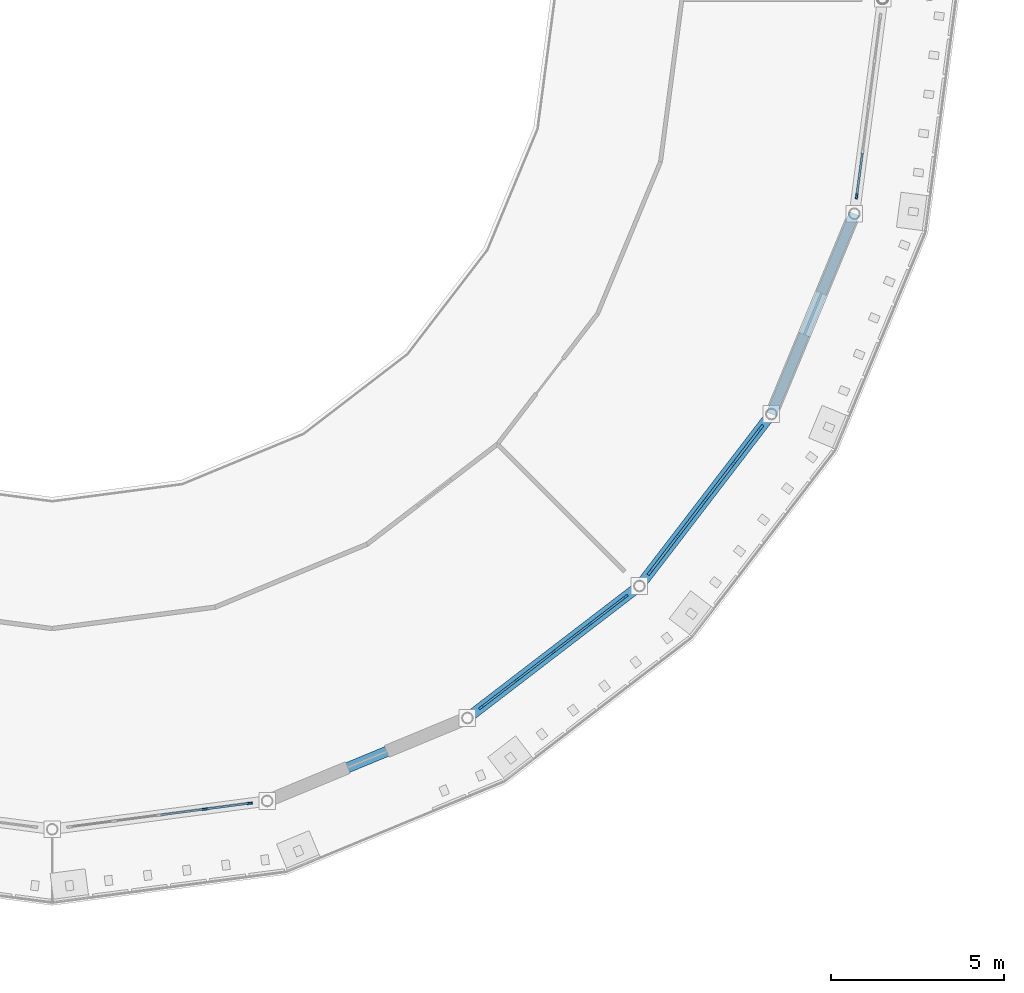
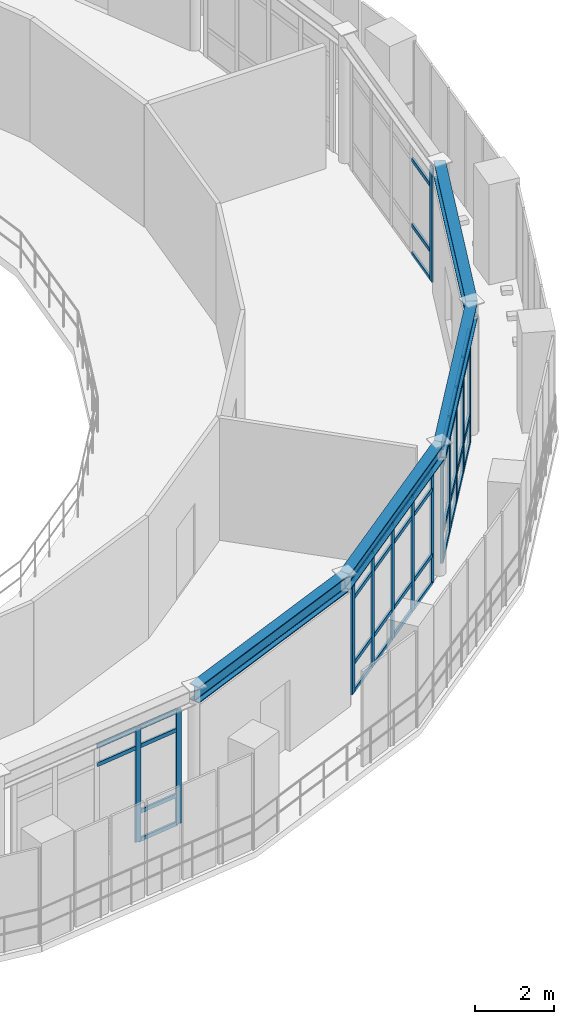
# One storey, part 23 of 58: 54 members, 4 beams, 4 elements without a shape of their own.
"""IFC4 building model written with IfcOpenShell, lengths in metres."""

from ifc_helpers import new_model, si_unit, derived_unit, direction, frame, origin, origin_2d, place, context, subcontext, project, spatial, rectangle, i_section, extrude, material, layer, layer_set, material_profile, profile_set, type_object, element, aggregate, save


model = new_model("IFC4")

# Units and contexts
model_context = context("Model", 3, precision=1e-05, world=origin(), true_north=direction((0.0, 1.0)))
body_context = subcontext(model_context, "Body", "Model", "MODEL_VIEW")
ifc_project = project(units=[si_unit("LENGTHUNIT", "METRE"), si_unit("AREAUNIT", "SQUARE_METRE"), si_unit("VOLUMEUNIT", "CUBIC_METRE"), si_unit("PLANEANGLEUNIT", "RADIAN"), si_unit("MASSUNIT", "GRAM", prefix="KILO"), derived_unit("THERMALTRANSMITTANCEUNIT", [(si_unit("POWERUNIT", "WATT"), 1), (si_unit("AREAUNIT", "SQUARE_METRE"), -1), (si_unit("THERMODYNAMICTEMPERATUREUNIT", "KELVIN"), -1)])], contexts=[model_context])

# Site, building, storey
site_placement = place(None, origin())
site = spatial("IfcSite", under=ifc_project, at=site_placement, CompositionType="ELEMENT")
building_placement = place(site_placement, origin())
building = spatial("IfcBuilding", under=site, at=building_placement, Name="Yasenodar Specialist Clinic", CompositionType="ELEMENT")
storey_placement = place(building_placement, frame((0.0, 0.0, 17.25)))
storey = spatial("IfcBuildingStorey", under=building, at=storey_placement, Name="L04", CompositionType="ELEMENT", Elevation=17.25)

# Beams
ifc_material_1 = material(Name="Steel S355", Category="steel")
ifc_material_profile_1 = material_profile(ifc_material_1, i_section(OverallWidth=0.300048828125, OverallDepth=0.5, WebThickness=0.014404296875, FlangeThickness=0.028076171875, FilletRadius=0.027099609375, at=origin_2d()), Name="HEB 500")
ifc_profile_set_1 = profile_set([ifc_material_profile_1], Name="Steel S355")
beam_type = type_object("IfcBeamType", Name="BM-HEB500", PredefinedType="BEAM", material=ifc_profile_set_1)
beam_1_placement = place(storey_placement, frame((87.211669921875, 35.617919921875, 3.800048828125), z_axis=(0.9238876519, 0.382663829839, 0.0), x_axis=(-0.382663829839, 0.9238876519, 0.0)))
element("IfcBeam", 1, at=beam_1_placement, inside=storey, type_object=beam_type, Name="L04 Drum V1 Roof Ring Beam", PredefinedType="BEAM", context=body_context, shape_type="SweptSolid", body=[
    extrude(i_section(OverallWidth=0.300048828125, OverallDepth=0.5, WebThickness=0.014404296875, FlangeThickness=0.028076171875, FilletRadius=0.027099609375, at=origin_2d()), origin(), (0.0, 0.0, 1.0), 6.26513671875),
])
for number, where, z_axis, x_axis, name in (
    (2, (93.0, 38.015380859375, 3.800048828125), (0.793367971845, 0.608742360322, 0.0), (-0.608742360322, 0.793367971845, 0.0), "L04 Drum V1 Roof Ring Beam"),
    (3, (97.970703125, 41.829345703125, 3.800048828125), (0.608742360322, 0.793367971845, 0.0), (-0.793367971845, 0.608742360322, 0.0), "L04 Drum V1 Roof Ring Beam"),
):
    element("IfcBeam", number, at=place(storey_placement, frame(where, z_axis=z_axis, x_axis=x_axis)), inside=storey, type_object=beam_type, Name=name, PredefinedType="BEAM", context=body_context, shape_type="SweptSolid", body=[
        extrude(i_section(OverallWidth=0.300048828125, OverallDepth=0.5, WebThickness=0.014404296875, FlangeThickness=0.028076171875, FilletRadius=0.027099609375, at=origin_2d()), origin(), (0.0, 0.0, 1.0), 6.265380859375),
    ])
beam_2_placement = place(storey_placement, frame((101.78466796875, 46.800048828125, 3.800048828125), z_axis=(0.382663829839, 0.9238876519, 0.0), x_axis=(-0.9238876519, 0.382663829839, 0.0)))
element("IfcBeam", 4, at=beam_2_placement, inside=storey, type_object=beam_type, Name="L04 Drum V1 Roof Ring Beam", PredefinedType="BEAM", context=body_context, shape_type="SweptSolid", body=[
    extrude(i_section(OverallWidth=0.300048828125, OverallDepth=0.5, WebThickness=0.014404296875, FlangeThickness=0.028076171875, FilletRadius=0.027099609375, at=origin_2d()), origin(), (0.0, 0.0, 1.0), 6.26513671875),
])

# Curtain wall, members
ifc_material_2 = material(Name="Bronze Anodized Aluminium and Triple Low-E Glass", Category="aluminium")
ifc_layer = layer(ifc_material_2, 0.1669921875)
ifc_layer_set = layer_set([ifc_layer], Name="Bronze Anodized Aluminium and Triple Low-E Glass")
curtain_wall_type = type_object("IfcCurtainWallType", Name="CW-SYS-01", PredefinedType="USERDEFINED", material=ifc_layer_set)
curtain_wall_1_placement = place(storey_placement, origin())
curtain_wall_1 = element("IfcCurtainWall", 5, at=curtain_wall_1_placement, inside=storey, type_object=curtain_wall_type, Name="L04 Unitised Curtain Wall 068", ObjectType="UNITISED CURTAIN WALL", PredefinedType="USERDEFINED")
ifc_material_3 = material(Name="Bronze Anodized Aluminium", Category="aluminium")
ifc_material_profile_2 = material_profile(ifc_material_3, rectangle(XDim=0.06005859375, YDim=0.159912109375, at=origin_2d()), Name="CW-MULL 60x160")
ifc_profile_set_2 = profile_set([ifc_material_profile_2], Name="Bronze Anodized Aluminium")
member_type_1 = type_object("IfcMemberType", Name="CW-MULL-160", PredefinedType="MULLION", material=ifc_profile_set_2)
member_1_placement = place(storey_placement, frame((86.7060546875, 35.55126953125, 0.0), z_axis=(0.0, 0.0, 1.0), x_axis=(0.13051156024, -0.991446787601, 0.0)))
member_1 = element("IfcMember", 6, at=member_1_placement, type_object=member_type_1, Name="CW-01 mullion 1", PredefinedType="MULLION", context=body_context, shape_type="SweptSolid", body=[
    extrude(rectangle(XDim=0.06005859375, YDim=0.159912109375, at=origin_2d()), origin(), (0.0, 0.0, 1.0), 3.528076171875),
])
member_2_placement = place(storey_placement, frame((85.4208984375, 35.382080078125, 0.0), z_axis=(0.0, 0.0, 1.0), x_axis=(0.13051156024, -0.991446787601, 0.0)))
member_2 = element("IfcMember", 7, at=member_2_placement, type_object=member_type_1, Name="CW-01 mullion 2", PredefinedType="MULLION", context=body_context, shape_type="SweptSolid", body=[
    extrude(rectangle(XDim=0.06005859375, YDim=0.159912109375, at=origin_2d()), origin(), (0.0, 0.0, 1.0), 3.528076171875),
])

curtain_wall_2_placement = place(storey_placement, origin())
curtain_wall_2 = element("IfcCurtainWall", 8, at=curtain_wall_2_placement, inside=storey, type_object=curtain_wall_type, Name="L04 Unitised Curtain Wall 069", ObjectType="UNITISED CURTAIN WALL", PredefinedType="USERDEFINED")
member_3_placement = place(storey_placement, frame((97.56591796875, 41.51904296875, 0.0), z_axis=(0.0, 0.0, 1.0), x_axis=(0.608752021844, -0.793360558574, 0.0)))
member_3 = element("IfcMember", 9, at=member_3_placement, type_object=member_type_1, Name="CW-01 mullion 1", PredefinedType="MULLION", context=body_context, shape_type="SweptSolid", body=[
    extrude(rectangle(XDim=0.06005859375, YDim=0.159912109375, at=origin_2d()), origin(), (0.0, 0.0, 1.0), 3.528076171875),
])
member_4_placement = place(storey_placement, frame((96.53759765625, 40.729736328125, 0.0), z_axis=(0.0, 0.0, 1.0), x_axis=(0.608752021844, -0.793360558574, 0.0)))
member_4 = element("IfcMember", 10, at=member_4_placement, type_object=member_type_1, Name="CW-01 mullion 2", PredefinedType="MULLION", context=body_context, shape_type="SweptSolid", body=[
    extrude(rectangle(XDim=0.06005859375, YDim=0.159912109375, at=origin_2d()), origin(), (0.0, 0.0, 1.0), 3.528076171875),
])
member_5_placement = place(storey_placement, frame((95.4853515625, 39.92236328125, 0.0), z_axis=(0.0, 0.0, 1.0), x_axis=(0.608752021844, -0.793360558574, 0.0)))
member_5 = element("IfcMember", 11, at=member_5_placement, type_object=member_type_1, Name="CW-01 mullion 3", PredefinedType="MULLION", context=body_context, shape_type="SweptSolid", body=[
    extrude(rectangle(XDim=0.06005859375, YDim=0.159912109375, at=origin_2d()), origin(), (0.0, 0.0, 1.0), 3.528076171875),
])
member_6_placement = place(storey_placement, frame((94.43310546875, 39.114990234375, 0.0), z_axis=(0.0, 0.0, 1.0), x_axis=(0.608752021844, -0.793360558574, 0.0)))
member_6 = element("IfcMember", 12, at=member_6_placement, type_object=member_type_1, Name="CW-01 mullion 4", PredefinedType="MULLION", context=body_context, shape_type="SweptSolid", body=[
    extrude(rectangle(XDim=0.06005859375, YDim=0.159912109375, at=origin_2d()), origin(), (0.0, 0.0, 1.0), 3.528076171875),
])
member_7_placement = place(storey_placement, frame((93.404541015625, 38.325927734375, 0.0), z_axis=(0.0, 0.0, 1.0), x_axis=(0.608752021844, -0.793360558574, 0.0)))
member_7 = element("IfcMember", 13, at=member_7_placement, type_object=member_type_1, Name="CW-01 mullion 5", PredefinedType="MULLION", context=body_context, shape_type="SweptSolid", body=[
    extrude(rectangle(XDim=0.06005859375, YDim=0.159912109375, at=origin_2d()), origin(), (0.0, 0.0, 1.0), 3.528076171875),
])

# Curtain wall, member
curtain_wall_3_placement = place(storey_placement, origin())
curtain_wall_3 = element("IfcCurtainWall", 14, at=curtain_wall_3_placement, inside=storey, type_object=curtain_wall_type, Name="L04 Unitised Curtain Wall 071", ObjectType="UNITISED CURTAIN WALL", PredefinedType="USERDEFINED")
member_8_placement = place(storey_placement, frame((104.248779296875, 53.093994140625, 0.0), z_axis=(0.0, 0.0, 1.0), x_axis=(0.991446787601, -0.13051156024, 0.0)))
member_8 = element("IfcMember", 15, at=member_8_placement, type_object=member_type_1, Name="CW-01 mullion 5", PredefinedType="MULLION", context=body_context, shape_type="SweptSolid", body=[
    extrude(rectangle(XDim=0.06005859375, YDim=0.159912109375, at=origin_2d()), origin(), (0.0, 0.0, 1.0), 3.528076171875),
])

# Curtain wall, members
curtain_wall_4_placement = place(storey_placement, origin())
curtain_wall_4 = element("IfcCurtainWall", 16, at=curtain_wall_4_placement, inside=storey, type_object=curtain_wall_type, Name="L04 Unitised Curtain Wall 070", ObjectType="UNITISED CURTAIN WALL", PredefinedType="USERDEFINED")
ifc_material_profile_3 = material_profile(ifc_material_3, rectangle(XDim=0.074951171875, YDim=0.22509765625, at=origin_2d()), Name="CW-MULL 75x225")
ifc_profile_set_3 = profile_set([ifc_material_profile_3], Name="Bronze Anodized Aluminium")
member_type_2 = type_object("IfcMemberType", Name="CW-MULL-225", PredefinedType="MULLION", material=ifc_profile_set_3)
member_9_placement = place(storey_placement, frame((101.469482421875, 46.389404296875, 0.0), z_axis=(0.0, 0.0, 1.0), x_axis=(0.793360558574, -0.608752021844, 0.0)))
member_9 = element("IfcMember", 17, at=member_9_placement, type_object=member_type_2, Name="CW-01 mullion 1", PredefinedType="MULLION", context=body_context, shape_type="SweptSolid", body=[
    extrude(rectangle(XDim=0.074951171875, YDim=0.22509765625, at=origin_2d()), origin(), (0.0, 0.0, 1.0), 3.528076171875),
])
member_10_placement = place(storey_placement, frame((100.68505859375, 45.366943359375, 0.0), z_axis=(0.0, 0.0, 1.0), x_axis=(0.793360558574, -0.608752021844, 0.0)))
member_10 = element("IfcMember", 18, at=member_10_placement, type_object=member_type_2, Name="CW-01 mullion 2", PredefinedType="MULLION", context=body_context, shape_type="SweptSolid", body=[
    extrude(rectangle(XDim=0.074951171875, YDim=0.22509765625, at=origin_2d()), origin(), (0.0, 0.0, 1.0), 3.528076171875),
])
member_11_placement = place(storey_placement, frame((99.877685546875, 44.314697265625, 0.0), z_axis=(0.0, 0.0, 1.0), x_axis=(0.793360558574, -0.608752021844, 0.0)))
member_11 = element("IfcMember", 19, at=member_11_placement, type_object=member_type_2, Name="CW-01 mullion 3", PredefinedType="MULLION", context=body_context, shape_type="SweptSolid", body=[
    extrude(rectangle(XDim=0.074951171875, YDim=0.22509765625, at=origin_2d()), origin(), (0.0, 0.0, 1.0), 3.528076171875),
])
member_12_placement = place(storey_placement, frame((99.0703125, 43.262451171875, 0.0), z_axis=(0.0, 0.0, 1.0), x_axis=(0.793360558574, -0.608752021844, 0.0)))
member_12 = element("IfcMember", 20, at=member_12_placement, type_object=member_type_2, Name="CW-01 mullion 4", PredefinedType="MULLION", context=body_context, shape_type="SweptSolid", body=[
    extrude(rectangle(XDim=0.074951171875, YDim=0.22509765625, at=origin_2d()), origin(), (0.0, 0.0, 1.0), 3.528076171875),
])
member_13_placement = place(storey_placement, frame((98.28564453125, 42.239990234375, 0.0), z_axis=(0.0, 0.0, 1.0), x_axis=(0.793360558574, -0.608752021844, 0.0)))
member_13 = element("IfcMember", 21, at=member_13_placement, type_object=member_type_2, Name="CW-01 mullion 5", PredefinedType="MULLION", context=body_context, shape_type="SweptSolid", body=[
    extrude(rectangle(XDim=0.074951171875, YDim=0.22509765625, at=origin_2d()), origin(), (0.0, 0.0, 1.0), 3.528076171875),
])

# Member
ifc_material_profile_4 = material_profile(ifc_material_3, rectangle(XDim=0.06005859375, YDim=0.1201171875, at=origin_2d()), Name="CW-TRAN 60x120")
ifc_profile_set_4 = profile_set([ifc_material_profile_4], Name="Bronze Anodized Aluminium")
member_type_3 = type_object("IfcMemberType", Name="CW-TRAN-120", PredefinedType="USERDEFINED", material=ifc_profile_set_4)
member_14_placement = place(storey_placement, frame((86.67626953125, 35.54736328125, 0.030029296875), z_axis=(-0.991442191305, -0.130546471803, 0.0), x_axis=(0.130546471803, -0.991442191305, 0.0)))
member_14 = element("IfcMember", 22, at=member_14_placement, type_object=member_type_3, Name="CW-01 transom 1.1", ObjectType="TRANSOM", PredefinedType="USERDEFINED", context=body_context, shape_type="SweptSolid", body=[
    extrude(rectangle(XDim=0.06005859375, YDim=0.1201171875, at=origin_2d()), origin(), (0.0, 0.0, 1.0), 1.236083984375),
])

member_15_placement = place(storey_placement, frame((86.67626953125, 35.54736328125, 0.89990234375), z_axis=(-0.991442191305, -0.130546471803, 0.0), x_axis=(0.130546471803, -0.991442191305, 0.0)))
member_15 = element("IfcMember", 23, at=member_15_placement, type_object=member_type_3, Name="CW-01 transom 1.2", ObjectType="TRANSOM", PredefinedType="USERDEFINED", context=body_context, shape_type="SweptSolid", body=[
    extrude(rectangle(XDim=0.06005859375, YDim=0.1201171875, at=origin_2d()), origin(), (0.0, 0.0, 1.0), 1.236083984375),
])

member_16_placement = place(storey_placement, frame((86.67626953125, 35.54736328125, 2.927978515625), z_axis=(-0.991442191305, -0.130546471803, 0.0), x_axis=(0.130546471803, -0.991442191305, 0.0)))
member_16 = element("IfcMember", 24, at=member_16_placement, type_object=member_type_3, Name="CW-01 transom 1.3", ObjectType="TRANSOM", PredefinedType="USERDEFINED", context=body_context, shape_type="SweptSolid", body=[
    extrude(rectangle(XDim=0.06005859375, YDim=0.1201171875, at=origin_2d()), origin(), (0.0, 0.0, 1.0), 1.236083984375),
])

member_17_placement = place(storey_placement, frame((86.67626953125, 35.54736328125, 3.498046875), z_axis=(-0.991442191305, -0.130546471803, 0.0), x_axis=(0.130546471803, -0.991442191305, 0.0)))
member_17 = element("IfcMember", 25, at=member_17_placement, type_object=member_type_3, Name="CW-01 transom 1.4", ObjectType="TRANSOM", PredefinedType="USERDEFINED", context=body_context, shape_type="SweptSolid", body=[
    extrude(rectangle(XDim=0.06005859375, YDim=0.1201171875, at=origin_2d()), origin(), (0.0, 0.0, 1.0), 1.236083984375),
])

member_18_placement = place(storey_placement, frame((85.39111328125, 35.378173828125, 2.927978515625), z_axis=(-0.991447076407, -0.13050936627, 0.0), x_axis=(0.13050936627, -0.991447076407, 0.0)))
member_18 = element("IfcMember", 26, at=member_18_placement, type_object=member_type_3, Name="CW-01 transom 2.3", ObjectType="TRANSOM", PredefinedType="USERDEFINED", context=body_context, shape_type="SweptSolid", body=[
    extrude(rectangle(XDim=0.06005859375, YDim=0.1201171875, at=origin_2d()), origin(), (0.0, 0.0, 1.0), 1.266357421875),
])

member_19_placement = place(storey_placement, frame((85.39111328125, 35.378173828125, 3.498046875), z_axis=(-0.991447076407, -0.13050936627, 0.0), x_axis=(0.13050936627, -0.991447076407, 0.0)))
member_19 = element("IfcMember", 27, at=member_19_placement, type_object=member_type_3, Name="CW-01 transom 2.4", ObjectType="TRANSOM", PredefinedType="USERDEFINED", context=body_context, shape_type="SweptSolid", body=[
    extrude(rectangle(XDim=0.06005859375, YDim=0.1201171875, at=origin_2d()), origin(), (0.0, 0.0, 1.0), 1.266357421875),
])

aggregate(curtain_wall_1, [member_1, member_2, member_14, member_15, member_16, member_17, member_18, member_19])

member_20_placement = place(storey_placement, frame((97.542236328125, 41.500732421875, 0.030029296875), z_axis=(-0.793364768151, -0.608746535642, 0.0), x_axis=(0.608746535642, -0.793364768151, 0.0)))
member_20 = element("IfcMember", 28, at=member_20_placement, type_object=member_type_3, Name="CW-01 transom 1.1", ObjectType="TRANSOM", PredefinedType="USERDEFINED", context=body_context, shape_type="SweptSolid", body=[
    extrude(rectangle(XDim=0.06005859375, YDim=0.1201171875, at=origin_2d()), origin(), (0.0, 0.0, 1.0), 1.236572265625),
])

member_21_placement = place(storey_placement, frame((97.542236328125, 41.500732421875, 0.89990234375), z_axis=(-0.793364768151, -0.608746535642, 0.0), x_axis=(0.608746535642, -0.793364768151, 0.0)))
member_21 = element("IfcMember", 29, at=member_21_placement, type_object=member_type_3, Name="CW-01 transom 1.2", ObjectType="TRANSOM", PredefinedType="USERDEFINED", context=body_context, shape_type="SweptSolid", body=[
    extrude(rectangle(XDim=0.06005859375, YDim=0.1201171875, at=origin_2d()), origin(), (0.0, 0.0, 1.0), 1.236572265625),
])

member_22_placement = place(storey_placement, frame((97.542236328125, 41.500732421875, 2.927978515625), z_axis=(-0.793364768151, -0.608746535642, 0.0), x_axis=(0.608746535642, -0.793364768151, 0.0)))
member_22 = element("IfcMember", 30, at=member_22_placement, type_object=member_type_3, Name="CW-01 transom 1.3", ObjectType="TRANSOM", PredefinedType="USERDEFINED", context=body_context, shape_type="SweptSolid", body=[
    extrude(rectangle(XDim=0.06005859375, YDim=0.1201171875, at=origin_2d()), origin(), (0.0, 0.0, 1.0), 1.236572265625),
])

member_23_placement = place(storey_placement, frame((97.542236328125, 41.500732421875, 3.498046875), z_axis=(-0.793364768151, -0.608746535642, 0.0), x_axis=(0.608746535642, -0.793364768151, 0.0)))
member_23 = element("IfcMember", 31, at=member_23_placement, type_object=member_type_3, Name="CW-01 transom 1.4", ObjectType="TRANSOM", PredefinedType="USERDEFINED", context=body_context, shape_type="SweptSolid", body=[
    extrude(rectangle(XDim=0.06005859375, YDim=0.1201171875, at=origin_2d()), origin(), (0.0, 0.0, 1.0), 1.236572265625),
])

member_24_placement = place(storey_placement, frame((96.513671875, 40.71142578125, 0.030029296875), z_axis=(-0.793404604701, -0.608694614104, 0.0), x_axis=(0.608694614104, -0.793404604701, 0.0)))
member_24 = element("IfcMember", 32, at=member_24_placement, type_object=member_type_3, Name="CW-01 transom 2.1", ObjectType="TRANSOM", PredefinedType="USERDEFINED", context=body_context, shape_type="SweptSolid", body=[
    extrude(rectangle(XDim=0.06005859375, YDim=0.1201171875, at=origin_2d()), origin(), (0.0, 0.0, 1.0), 1.266357421875),
])

member_25_placement = place(storey_placement, frame((96.513671875, 40.71142578125, 0.89990234375), z_axis=(-0.793404604701, -0.608694614104, 0.0), x_axis=(0.608694614104, -0.793404604701, 0.0)))
member_25 = element("IfcMember", 33, at=member_25_placement, type_object=member_type_3, Name="CW-01 transom 2.2", ObjectType="TRANSOM", PredefinedType="USERDEFINED", context=body_context, shape_type="SweptSolid", body=[
    extrude(rectangle(XDim=0.06005859375, YDim=0.1201171875, at=origin_2d()), origin(), (0.0, 0.0, 1.0), 1.266357421875),
])

member_26_placement = place(storey_placement, frame((96.513671875, 40.71142578125, 2.927978515625), z_axis=(-0.793404604701, -0.608694614104, 0.0), x_axis=(0.608694614104, -0.793404604701, 0.0)))
member_26 = element("IfcMember", 34, at=member_26_placement, type_object=member_type_3, Name="CW-01 transom 2.3", ObjectType="TRANSOM", PredefinedType="USERDEFINED", context=body_context, shape_type="SweptSolid", body=[
    extrude(rectangle(XDim=0.06005859375, YDim=0.1201171875, at=origin_2d()), origin(), (0.0, 0.0, 1.0), 1.266357421875),
])

member_27_placement = place(storey_placement, frame((96.513671875, 40.71142578125, 3.498046875), z_axis=(-0.793404604701, -0.608694614104, 0.0), x_axis=(0.608694614104, -0.793404604701, 0.0)))
member_27 = element("IfcMember", 35, at=member_27_placement, type_object=member_type_3, Name="CW-01 transom 2.4", ObjectType="TRANSOM", PredefinedType="USERDEFINED", context=body_context, shape_type="SweptSolid", body=[
    extrude(rectangle(XDim=0.06005859375, YDim=0.1201171875, at=origin_2d()), origin(), (0.0, 0.0, 1.0), 1.266357421875),
])

member_28_placement = place(storey_placement, frame((95.46142578125, 39.904052734375, 0.030029296875), z_axis=(-0.793404604701, -0.608694614104, 0.0), x_axis=(0.608694614104, -0.793404604701, 0.0)))
member_28 = element("IfcMember", 36, at=member_28_placement, type_object=member_type_3, Name="CW-01 transom 3.1", ObjectType="TRANSOM", PredefinedType="USERDEFINED", context=body_context, shape_type="SweptSolid", body=[
    extrude(rectangle(XDim=0.06005859375, YDim=0.1201171875, at=origin_2d()), origin(), (0.0, 0.0, 1.0), 1.266357421875),
])

member_29_placement = place(storey_placement, frame((95.46142578125, 39.904052734375, 0.89990234375), z_axis=(-0.793404604701, -0.608694614104, 0.0), x_axis=(0.608694614104, -0.793404604701, 0.0)))
member_29 = element("IfcMember", 37, at=member_29_placement, type_object=member_type_3, Name="CW-01 transom 3.2", ObjectType="TRANSOM", PredefinedType="USERDEFINED", context=body_context, shape_type="SweptSolid", body=[
    extrude(rectangle(XDim=0.06005859375, YDim=0.1201171875, at=origin_2d()), origin(), (0.0, 0.0, 1.0), 1.266357421875),
])

member_30_placement = place(storey_placement, frame((95.46142578125, 39.904052734375, 2.927978515625), z_axis=(-0.793404604701, -0.608694614104, 0.0), x_axis=(0.608694614104, -0.793404604701, 0.0)))
member_30 = element("IfcMember", 38, at=member_30_placement, type_object=member_type_3, Name="CW-01 transom 3.3", ObjectType="TRANSOM", PredefinedType="USERDEFINED", context=body_context, shape_type="SweptSolid", body=[
    extrude(rectangle(XDim=0.06005859375, YDim=0.1201171875, at=origin_2d()), origin(), (0.0, 0.0, 1.0), 1.266357421875),
])

member_31_placement = place(storey_placement, frame((95.46142578125, 39.904052734375, 3.498046875), z_axis=(-0.793404604701, -0.608694614104, 0.0), x_axis=(0.608694614104, -0.793404604701, 0.0)))
member_31 = element("IfcMember", 39, at=member_31_placement, type_object=member_type_3, Name="CW-01 transom 3.4", ObjectType="TRANSOM", PredefinedType="USERDEFINED", context=body_context, shape_type="SweptSolid", body=[
    extrude(rectangle(XDim=0.06005859375, YDim=0.1201171875, at=origin_2d()), origin(), (0.0, 0.0, 1.0), 1.266357421875),
])

member_32_placement = place(storey_placement, frame((94.4091796875, 39.0966796875, 0.030029296875), z_axis=(-0.793386964626, -0.608717606417, 0.0), x_axis=(0.608717606417, -0.793386964626, 0.0)))
member_32 = element("IfcMember", 40, at=member_32_placement, type_object=member_type_3, Name="CW-01 transom 4.1", ObjectType="TRANSOM", PredefinedType="USERDEFINED", context=body_context, shape_type="SweptSolid", body=[
    extrude(rectangle(XDim=0.06005859375, YDim=0.1201171875, at=origin_2d()), origin(), (0.0, 0.0, 1.0), 1.236083984375),
])

member_33_placement = place(storey_placement, frame((94.4091796875, 39.0966796875, 0.89990234375), z_axis=(-0.793386964626, -0.608717606417, 0.0), x_axis=(0.608717606417, -0.793386964626, 0.0)))
member_33 = element("IfcMember", 41, at=member_33_placement, type_object=member_type_3, Name="CW-01 transom 4.2", ObjectType="TRANSOM", PredefinedType="USERDEFINED", context=body_context, shape_type="SweptSolid", body=[
    extrude(rectangle(XDim=0.06005859375, YDim=0.1201171875, at=origin_2d()), origin(), (0.0, 0.0, 1.0), 1.236083984375),
])

member_34_placement = place(storey_placement, frame((94.4091796875, 39.0966796875, 2.927978515625), z_axis=(-0.793386964626, -0.608717606417, 0.0), x_axis=(0.608717606417, -0.793386964626, 0.0)))
member_34 = element("IfcMember", 42, at=member_34_placement, type_object=member_type_3, Name="CW-01 transom 4.3", ObjectType="TRANSOM", PredefinedType="USERDEFINED", context=body_context, shape_type="SweptSolid", body=[
    extrude(rectangle(XDim=0.06005859375, YDim=0.1201171875, at=origin_2d()), origin(), (0.0, 0.0, 1.0), 1.236083984375),
])

member_35_placement = place(storey_placement, frame((94.4091796875, 39.0966796875, 3.498046875), z_axis=(-0.793386964626, -0.608717606417, 0.0), x_axis=(0.608717606417, -0.793386964626, 0.0)))
member_35 = element("IfcMember", 43, at=member_35_placement, type_object=member_type_3, Name="CW-01 transom 4.4", ObjectType="TRANSOM", PredefinedType="USERDEFINED", context=body_context, shape_type="SweptSolid", body=[
    extrude(rectangle(XDim=0.06005859375, YDim=0.1201171875, at=origin_2d()), origin(), (0.0, 0.0, 1.0), 1.236083984375),
])

aggregate(curtain_wall_2, [member_3, member_4, member_5, member_6, member_7, member_20, member_21, member_22, member_23, member_24, member_25, member_26, member_27, member_28, member_29, member_30, member_31, member_32, member_33, member_34, member_35])

member_36_placement = place(storey_placement, frame((104.4140625, 54.349365234375, 0.030029296875), z_axis=(-0.130546471803, -0.991442191305, 0.0), x_axis=(0.991442191305, -0.130546471803, 0.0)))
member_36 = element("IfcMember", 44, at=member_36_placement, type_object=member_type_3, Name="CW-01 transom 4.1", ObjectType="TRANSOM", PredefinedType="USERDEFINED", context=body_context, shape_type="SweptSolid", body=[
    extrude(rectangle(XDim=0.06005859375, YDim=0.1201171875, at=origin_2d()), origin(), (0.0, 0.0, 1.0), 1.236083984375),
])

member_37_placement = place(storey_placement, frame((104.4140625, 54.349365234375, 0.89990234375), z_axis=(-0.130546471803, -0.991442191305, 0.0), x_axis=(0.991442191305, -0.130546471803, 0.0)))
member_37 = element("IfcMember", 45, at=member_37_placement, type_object=member_type_3, Name="CW-01 transom 4.2", ObjectType="TRANSOM", PredefinedType="USERDEFINED", context=body_context, shape_type="SweptSolid", body=[
    extrude(rectangle(XDim=0.06005859375, YDim=0.1201171875, at=origin_2d()), origin(), (0.0, 0.0, 1.0), 1.236083984375),
])

member_38_placement = place(storey_placement, frame((104.4140625, 54.349365234375, 2.927978515625), z_axis=(-0.130546471803, -0.991442191305, 0.0), x_axis=(0.991442191305, -0.130546471803, 0.0)))
member_38 = element("IfcMember", 46, at=member_38_placement, type_object=member_type_3, Name="CW-01 transom 4.3", ObjectType="TRANSOM", PredefinedType="USERDEFINED", context=body_context, shape_type="SweptSolid", body=[
    extrude(rectangle(XDim=0.06005859375, YDim=0.1201171875, at=origin_2d()), origin(), (0.0, 0.0, 1.0), 1.236083984375),
])

aggregate(curtain_wall_3, [member_8, member_36, member_37, member_38])

ifc_material_profile_5 = material_profile(ifc_material_3, rectangle(XDim=0.074951171875, YDim=0.175048828125, at=origin_2d()), Name="CW-TRAN 75x175")
ifc_profile_set_5 = profile_set([ifc_material_profile_5], Name="Bronze Anodized Aluminium")
member_type_4 = type_object("IfcMemberType", Name="CW-TRAN-175", PredefinedType="USERDEFINED", material=ifc_profile_set_5)
member_39_placement = place(storey_placement, frame((101.44677734375, 46.359619140625, 0.03759765625), z_axis=(-0.608845279176, -0.793288992755, 0.0), x_axis=(0.793288992755, -0.608845279176, 0.0)))
member_39 = element("IfcMember", 47, at=member_39_placement, type_object=member_type_4, Name="CW-01 transom 1.1", ObjectType="TRANSOM", PredefinedType="USERDEFINED", context=body_context, shape_type="SweptSolid", body=[
    extrude(rectangle(XDim=0.074951171875, YDim=0.175048828125, at=origin_2d()), origin(), (0.0, 0.0, 1.0), 1.2138671875),
])

member_40_placement = place(storey_placement, frame((101.44677734375, 46.359619140625, 0.89990234375), z_axis=(-0.608845279176, -0.793288992755, 0.0), x_axis=(0.793288992755, -0.608845279176, 0.0)))
member_40 = element("IfcMember", 48, at=member_40_placement, type_object=member_type_4, Name="CW-01 transom 1.2", ObjectType="TRANSOM", PredefinedType="USERDEFINED", context=body_context, shape_type="SweptSolid", body=[
    extrude(rectangle(XDim=0.074951171875, YDim=0.175048828125, at=origin_2d()), origin(), (0.0, 0.0, 1.0), 1.2138671875),
])

member_41_placement = place(storey_placement, frame((101.44677734375, 46.359619140625, 2.927978515625), z_axis=(-0.608845279176, -0.793288992755, 0.0), x_axis=(0.793288992755, -0.608845279176, 0.0)))
member_41 = element("IfcMember", 49, at=member_41_placement, type_object=member_type_4, Name="CW-01 transom 1.3", ObjectType="TRANSOM", PredefinedType="USERDEFINED", context=body_context, shape_type="SweptSolid", body=[
    extrude(rectangle(XDim=0.074951171875, YDim=0.175048828125, at=origin_2d()), origin(), (0.0, 0.0, 1.0), 1.2138671875),
])

member_42_placement = place(storey_placement, frame((101.44677734375, 46.359619140625, 3.490478515625), z_axis=(-0.608845279176, -0.793288992755, 0.0), x_axis=(0.793288992755, -0.608845279176, 0.0)))
member_42 = element("IfcMember", 50, at=member_42_placement, type_object=member_type_4, Name="CW-01 transom 1.4", ObjectType="TRANSOM", PredefinedType="USERDEFINED", context=body_context, shape_type="SweptSolid", body=[
    extrude(rectangle(XDim=0.074951171875, YDim=0.175048828125, at=origin_2d()), origin(), (0.0, 0.0, 1.0), 1.2138671875),
])

member_43_placement = place(storey_placement, frame((100.662109375, 45.337158203125, 0.03759765625), z_axis=(-0.608767381159, -0.79334877301, 0.0), x_axis=(0.79334877301, -0.608767381159, 0.0)))
member_43 = element("IfcMember", 51, at=member_43_placement, type_object=member_type_4, Name="CW-01 transom 2.1", ObjectType="TRANSOM", PredefinedType="USERDEFINED", context=body_context, shape_type="SweptSolid", body=[
    extrude(rectangle(XDim=0.074951171875, YDim=0.175048828125, at=origin_2d()), origin(), (0.0, 0.0, 1.0), 1.251220703125),
])

member_44_placement = place(storey_placement, frame((100.662109375, 45.337158203125, 0.89990234375), z_axis=(-0.608767381159, -0.79334877301, 0.0), x_axis=(0.79334877301, -0.608767381159, 0.0)))
member_44 = element("IfcMember", 52, at=member_44_placement, type_object=member_type_4, Name="CW-01 transom 2.2", ObjectType="TRANSOM", PredefinedType="USERDEFINED", context=body_context, shape_type="SweptSolid", body=[
    extrude(rectangle(XDim=0.074951171875, YDim=0.175048828125, at=origin_2d()), origin(), (0.0, 0.0, 1.0), 1.251220703125),
])

member_45_placement = place(storey_placement, frame((100.662109375, 45.337158203125, 2.927978515625), z_axis=(-0.608767381159, -0.79334877301, 0.0), x_axis=(0.79334877301, -0.608767381159, 0.0)))
member_45 = element("IfcMember", 53, at=member_45_placement, type_object=member_type_4, Name="CW-01 transom 2.3", ObjectType="TRANSOM", PredefinedType="USERDEFINED", context=body_context, shape_type="SweptSolid", body=[
    extrude(rectangle(XDim=0.074951171875, YDim=0.175048828125, at=origin_2d()), origin(), (0.0, 0.0, 1.0), 1.251220703125),
])

member_46_placement = place(storey_placement, frame((100.662109375, 45.337158203125, 3.490478515625), z_axis=(-0.608767381159, -0.79334877301, 0.0), x_axis=(0.79334877301, -0.608767381159, 0.0)))
member_46 = element("IfcMember", 54, at=member_46_placement, type_object=member_type_4, Name="CW-01 transom 2.4", ObjectType="TRANSOM", PredefinedType="USERDEFINED", context=body_context, shape_type="SweptSolid", body=[
    extrude(rectangle(XDim=0.074951171875, YDim=0.175048828125, at=origin_2d()), origin(), (0.0, 0.0, 1.0), 1.251220703125),
])

member_47_placement = place(storey_placement, frame((99.854736328125, 44.284912109375, 0.03759765625), z_axis=(-0.608767381159, -0.79334877301, 0.0), x_axis=(0.79334877301, -0.608767381159, 0.0)))
member_47 = element("IfcMember", 55, at=member_47_placement, type_object=member_type_4, Name="CW-01 transom 3.1", ObjectType="TRANSOM", PredefinedType="USERDEFINED", context=body_context, shape_type="SweptSolid", body=[
    extrude(rectangle(XDim=0.074951171875, YDim=0.175048828125, at=origin_2d()), origin(), (0.0, 0.0, 1.0), 1.251220703125),
])

member_48_placement = place(storey_placement, frame((99.854736328125, 44.284912109375, 0.89990234375), z_axis=(-0.608767381159, -0.79334877301, 0.0), x_axis=(0.79334877301, -0.608767381159, 0.0)))
member_48 = element("IfcMember", 56, at=member_48_placement, type_object=member_type_4, Name="CW-01 transom 3.2", ObjectType="TRANSOM", PredefinedType="USERDEFINED", context=body_context, shape_type="SweptSolid", body=[
    extrude(rectangle(XDim=0.074951171875, YDim=0.175048828125, at=origin_2d()), origin(), (0.0, 0.0, 1.0), 1.251220703125),
])

member_49_placement = place(storey_placement, frame((99.854736328125, 44.284912109375, 2.927978515625), z_axis=(-0.608767381159, -0.79334877301, 0.0), x_axis=(0.79334877301, -0.608767381159, 0.0)))
member_49 = element("IfcMember", 57, at=member_49_placement, type_object=member_type_4, Name="CW-01 transom 3.3", ObjectType="TRANSOM", PredefinedType="USERDEFINED", context=body_context, shape_type="SweptSolid", body=[
    extrude(rectangle(XDim=0.074951171875, YDim=0.175048828125, at=origin_2d()), origin(), (0.0, 0.0, 1.0), 1.251220703125),
])

member_50_placement = place(storey_placement, frame((99.854736328125, 44.284912109375, 3.490478515625), z_axis=(-0.608767381159, -0.79334877301, 0.0), x_axis=(0.79334877301, -0.608767381159, 0.0)))
member_50 = element("IfcMember", 58, at=member_50_placement, type_object=member_type_4, Name="CW-01 transom 3.4", ObjectType="TRANSOM", PredefinedType="USERDEFINED", context=body_context, shape_type="SweptSolid", body=[
    extrude(rectangle(XDim=0.074951171875, YDim=0.175048828125, at=origin_2d()), origin(), (0.0, 0.0, 1.0), 1.251220703125),
])

member_51_placement = place(storey_placement, frame((99.04736328125, 43.232666015625, 0.03759765625), z_axis=(-0.608845279176, -0.793288992755, 0.0), x_axis=(0.793288992755, -0.608845279176, 0.0)))
member_51 = element("IfcMember", 59, at=member_51_placement, type_object=member_type_4, Name="CW-01 transom 4.1", ObjectType="TRANSOM", PredefinedType="USERDEFINED", context=body_context, shape_type="SweptSolid", body=[
    extrude(rectangle(XDim=0.074951171875, YDim=0.175048828125, at=origin_2d()), origin(), (0.0, 0.0, 1.0), 1.2138671875),
])

member_52_placement = place(storey_placement, frame((99.04736328125, 43.232666015625, 0.89990234375), z_axis=(-0.608845279176, -0.793288992755, 0.0), x_axis=(0.793288992755, -0.608845279176, 0.0)))
member_52 = element("IfcMember", 60, at=member_52_placement, type_object=member_type_4, Name="CW-01 transom 4.2", ObjectType="TRANSOM", PredefinedType="USERDEFINED", context=body_context, shape_type="SweptSolid", body=[
    extrude(rectangle(XDim=0.074951171875, YDim=0.175048828125, at=origin_2d()), origin(), (0.0, 0.0, 1.0), 1.2138671875),
])

member_53_placement = place(storey_placement, frame((99.04736328125, 43.232666015625, 2.927978515625), z_axis=(-0.608845279176, -0.793288992755, 0.0), x_axis=(0.793288992755, -0.608845279176, 0.0)))
member_53 = element("IfcMember", 61, at=member_53_placement, type_object=member_type_4, Name="CW-01 transom 4.3", ObjectType="TRANSOM", PredefinedType="USERDEFINED", context=body_context, shape_type="SweptSolid", body=[
    extrude(rectangle(XDim=0.074951171875, YDim=0.175048828125, at=origin_2d()), origin(), (0.0, 0.0, 1.0), 1.2138671875),
])

member_54_placement = place(storey_placement, frame((99.04736328125, 43.232666015625, 3.490478515625), z_axis=(-0.608845279176, -0.793288992755, 0.0), x_axis=(0.793288992755, -0.608845279176, 0.0)))
member_54 = element("IfcMember", 62, at=member_54_placement, type_object=member_type_4, Name="CW-01 transom 4.4", ObjectType="TRANSOM", PredefinedType="USERDEFINED", context=body_context, shape_type="SweptSolid", body=[
    extrude(rectangle(XDim=0.074951171875, YDim=0.175048828125, at=origin_2d()), origin(), (0.0, 0.0, 1.0), 1.2138671875),
])

aggregate(curtain_wall_4, [member_9, member_10, member_11, member_12, member_13, member_39, member_40, member_41, member_42, member_43, member_44, member_45, member_46, member_47, member_48, member_49, member_50, member_51, member_52, member_53, member_54])

save(model, "model.ifc")
